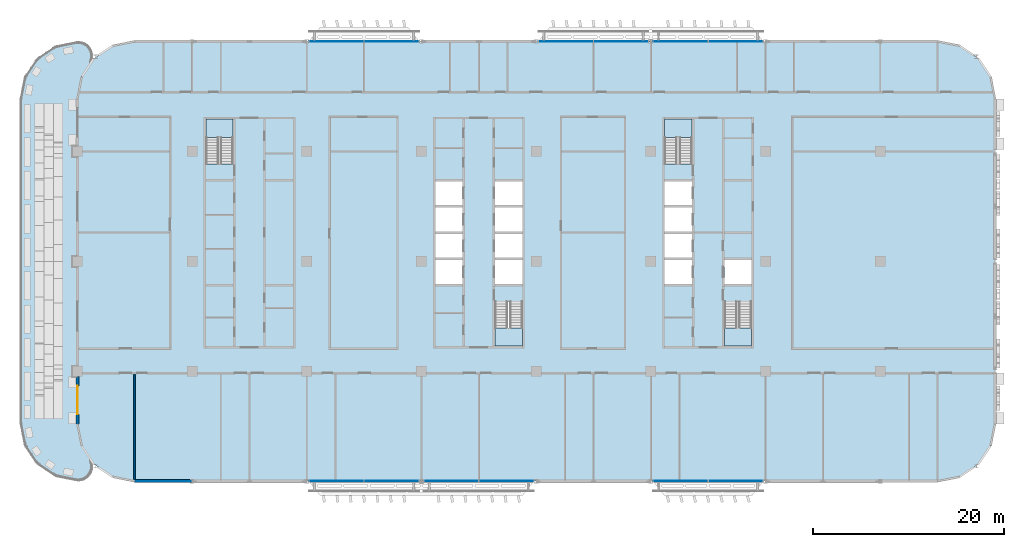
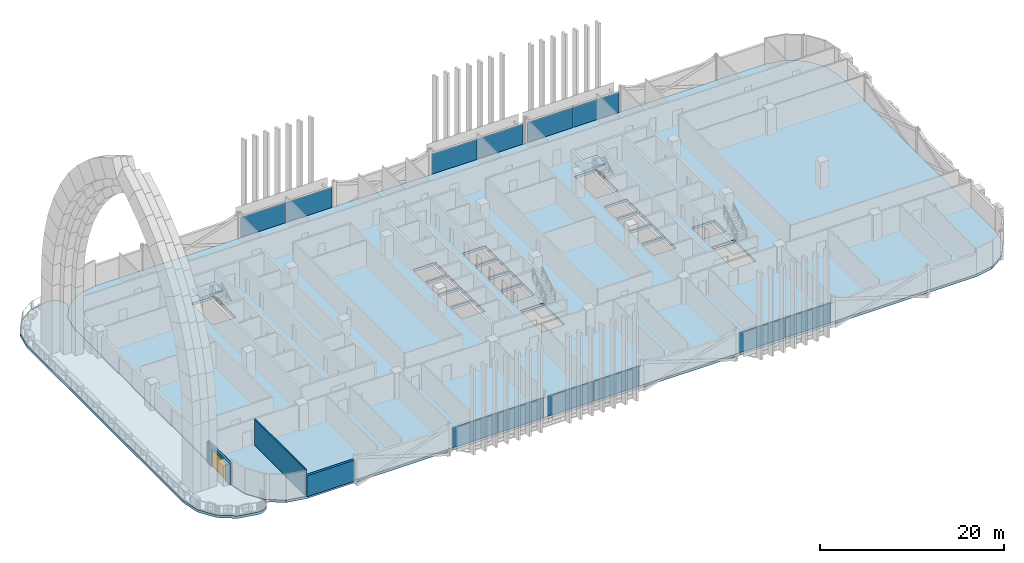
# One storey, part 8 of 28: 12 plates, 6 slabs, 3 walls, 1 door, 1 opening, 10 elements without a shape of their own.
"""IFC4 building model written with IfcOpenShell, lengths in metres."""

from ifc_helpers import new_model, si_unit, direction, frame, frame_2d, origin, origin_2d, place, context, subcontext, project, spatial, polyline, rectangle, outline, extrude, material, layer, layer_set, type_object, element, fill, aggregate, save


model = new_model("IFC4")

# Units and contexts
model_context = context("Model", 3, precision=1e-05, world=origin(), true_north=direction((0.0, 1.0)))
body_context = subcontext(model_context, "Body", "Model", "MODEL_VIEW")
ifc_project = project(units=[si_unit("LENGTHUNIT", "METRE"), si_unit("AREAUNIT", "SQUARE_METRE"), si_unit("VOLUMEUNIT", "CUBIC_METRE"), si_unit("PLANEANGLEUNIT", "RADIAN"), si_unit("MASSUNIT", "GRAM", prefix="KILO")], contexts=[model_context])

# Site, building, storey
site_placement = place(None, origin())
site = spatial("IfcSite", under=ifc_project, at=site_placement, CompositionType="ELEMENT")
building_placement = place(site_placement, origin())
building = spatial("IfcBuilding", under=site, at=building_placement, Name="Mahtab Terrace Research Tower", CompositionType="ELEMENT")
storey_placement = place(building_placement, frame((0.0, 0.0, 193.89990234375)))
storey = spatial("IfcBuildingStorey", under=building, at=storey_placement, Name="L46", CompositionType="ELEMENT", Elevation=193.89990234375)

# Stair, slab
ifc_material_1 = material(Name="Exit stair half-turn")
stair_type = type_object("IfcStairType", Name="Exit stair half-turn", PredefinedType="HALF_TURN_STAIR", material=ifc_material_1)
stair_1_placement = place(storey_placement, origin())
stair_1 = element("IfcStair", 1, at=stair_1_placement, inside=storey, type_object=stair_type, Name="L46 Protected exit stair ST1", PredefinedType="HALF_TURN_STAIR")
ifc_material_2 = material(Name="Concrete C40/50", Category="concrete")
ifc_layer_1 = layer(ifc_material_2, 0.199951171875)
ifc_layer_set_1 = layer_set([ifc_layer_1], Name="Exit stair landing 200")
slab_type_1 = type_object("IfcSlabType", Name="Exit stair landing 200", PredefinedType="LANDING", material=ifc_layer_set_1)
slab_1_placement = place(storey_placement, frame((0.0, 0.0, 1.7001953125)))
slab_1 = element("IfcSlab", 2, at=slab_1_placement, type_object=slab_type_1, Name="ST1 landing 1", PredefinedType="LANDING", context=body_context, shape_type="SweptSolid", body=[
    extrude(outline(polyline([(-25.699951171875, 12.97509765625), (-25.699951171875, 14.875), (-28.550048828125, 14.875), (-28.550048828125, 12.97509765625), (-25.699951171875, 12.97509765625)])), origin(), (0.0, 0.0, 1.0), 0.199951171875),
])
aggregate(stair_1, [slab_1])

stair_2_placement = place(storey_placement, origin())
stair_2 = element("IfcStair", 3, at=stair_2_placement, inside=storey, type_object=stair_type, Name="L46 Protected exit stair ST2", PredefinedType="HALF_TURN_STAIR")
slab_2_placement = place(storey_placement, frame((0.0, 0.0, 1.7001953125)))
slab_2 = element("IfcSlab", 4, at=slab_2_placement, type_object=slab_type_1, Name="ST2 landing 1", PredefinedType="LANDING", context=body_context, shape_type="SweptSolid", body=[
    extrude(outline(polyline([(1.699951171875, -6.97509765625), (1.699951171875, -8.875), (4.550048828125, -8.875), (4.550048828125, -6.97509765625), (1.699951171875, -6.97509765625)])), origin(), (0.0, 0.0, 1.0), 0.199951171875),
])
aggregate(stair_2, [slab_2])

stair_3_placement = place(storey_placement, origin())
stair_3 = element("IfcStair", 5, at=stair_3_placement, inside=storey, type_object=stair_type, Name="L46 Protected exit stair ST3", PredefinedType="HALF_TURN_STAIR")
slab_3_placement = place(storey_placement, frame((0.0, 0.0, 1.7001953125)))
slab_3 = element("IfcSlab", 6, at=slab_3_placement, type_object=slab_type_1, Name="ST3 landing 1", PredefinedType="LANDING", context=body_context, shape_type="SweptSolid", body=[
    extrude(outline(polyline([(22.300048828125, 12.97509765625), (22.300048828125, 14.875), (19.449951171875, 14.875), (19.449951171875, 12.97509765625), (22.300048828125, 12.97509765625)])), origin(), (0.0, 0.0, 1.0), 0.199951171875),
])
aggregate(stair_3, [slab_3])

stair_4_placement = place(storey_placement, origin())
stair_4 = element("IfcStair", 7, at=stair_4_placement, inside=storey, type_object=stair_type, Name="L46 Protected exit stair ST4", PredefinedType="HALF_TURN_STAIR")
slab_4_placement = place(storey_placement, frame((0.0, 0.0, 1.7001953125)))
slab_4 = element("IfcSlab", 8, at=slab_4_placement, type_object=slab_type_1, Name="ST4 landing 1", PredefinedType="LANDING", context=body_context, shape_type="SweptSolid", body=[
    extrude(outline(polyline([(25.699951171875, -6.97509765625), (25.699951171875, -8.875), (28.550048828125, -8.875), (28.550048828125, -6.97509765625), (25.699951171875, -6.97509765625)])), origin(), (0.0, 0.0, 1.0), 0.199951171875),
])
aggregate(stair_4, [slab_4])

# Slabs
ifc_layer_2 = layer(ifc_material_2, 0.340087890625)
ifc_layer_set_2 = layer_set([ifc_layer_2], Name="PT flat slab 340")
slab_type_2 = type_object("IfcSlabType", Name="PT flat slab 340", PredefinedType="FLOOR", material=ifc_layer_set_2)
slab_5_placement = place(storey_placement, frame((0.0, 0.0, -0.33984375)))
element("IfcSlab", 9, at=slab_5_placement, inside=storey, type_object=slab_type_2, Name="Floor slab L46", PredefinedType="FLOOR", context=body_context, shape_type="SweptSolid", body=[
    extrude(outline(polyline([(53.54296875, 19.2958984375), (52.242919921875, 21.242919921875), (50.2958984375, 22.54296875), (48.0, 23.0), (-36.0, 23.0), (-38.2958984375, 22.54296875), (-40.242919921875, 21.242919921875), (-41.54296875, 19.2958984375), (-42.0, 17.0), (-42.0, -17.0), (-41.54296875, -19.2958984375), (-40.242919921875, -21.242919921875), (-38.2958984375, -22.54296875), (-36.0, -23.0), (48.0, -23.0), (50.2958984375, -22.54296875), (52.242919921875, -21.242919921875), (53.54296875, -19.2958984375), (54.0, -17.0), (54.0, 17.0), (53.54296875, 19.2958984375)]), holes=[polyline([(-4.550048828125, -2.375), (-4.550048828125, 0.125), (-1.699951171875, 0.125), (-1.699951171875, -2.375), (-4.550048828125, -2.375)]), polyline([(1.699951171875, -2.375), (1.699951171875, 0.125), (4.550048828125, 0.125), (4.550048828125, -2.375), (1.699951171875, -2.375)]), polyline([(-4.550048828125, 0.375), (-4.550048828125, 2.875), (-1.699951171875, 2.875), (-1.699951171875, 0.375), (-4.550048828125, 0.375)]), polyline([(1.699951171875, 0.375), (1.699951171875, 2.875), (4.550048828125, 2.875), (4.550048828125, 0.375), (1.699951171875, 0.375)]), polyline([(-4.550048828125, 3.125), (-4.550048828125, 5.625), (-1.699951171875, 5.625), (-1.699951171875, 3.125), (-4.550048828125, 3.125)]), polyline([(1.699951171875, 3.125), (1.699951171875, 5.625), (4.550048828125, 5.625), (4.550048828125, 3.125), (1.699951171875, 3.125)]), polyline([(-4.550048828125, 5.875), (-4.550048828125, 8.375), (-1.699951171875, 8.375), (-1.699951171875, 5.875), (-4.550048828125, 5.875)]), polyline([(1.699951171875, 5.875), (1.699951171875, 8.375), (4.550048828125, 8.375), (4.550048828125, 5.875), (1.699951171875, 5.875)]), polyline([(-28.550048828125, 10.177001953125), (-28.550048828125, 14.875), (-25.699951171875, 14.875), (-25.699951171875, 10.177001953125), (-28.550048828125, 10.177001953125)]), polyline([(1.699951171875, -8.875), (1.699951171875, -4.177001953125), (4.550048828125, -4.177001953125), (4.550048828125, -8.875), (1.699951171875, -8.875)]), polyline([(25.699951171875, -8.875), (25.699951171875, -4.177001953125), (28.550048828125, -4.177001953125), (28.550048828125, -8.875), (25.699951171875, -8.875)]), polyline([(19.449951171875, -2.375), (19.449951171875, 0.125), (22.300048828125, 0.125), (22.300048828125, -2.375), (19.449951171875, -2.375)]), polyline([(25.699951171875, -2.375), (25.699951171875, 0.125), (28.550048828125, 0.125), (28.550048828125, -2.375), (25.699951171875, -2.375)]), polyline([(19.449951171875, 0.375), (19.449951171875, 2.875), (22.300048828125, 2.875), (22.300048828125, 0.375), (19.449951171875, 0.375)]), polyline([(19.449951171875, 3.125), (19.449951171875, 5.625), (22.300048828125, 5.625), (22.300048828125, 3.125), (19.449951171875, 3.125)]), polyline([(19.449951171875, 8.375), (22.300048828125, 8.375), (22.300048828125, 5.875), (19.449951171875, 5.875), (19.449951171875, 8.375)]), polyline([(19.449951171875, 14.875), (22.300048828125, 14.875), (22.300048828125, 10.177001953125), (19.449951171875, 10.177001953125), (19.449951171875, 14.875)])]), origin(), (0.0, 0.0, 1.0), 0.33984375),
])
ifc_layer_3 = layer(ifc_material_2, 0.340087890625)
ifc_layer_set_3 = layer_set([ifc_layer_3], Name="PT terrace slab 340")
slab_type_3 = type_object("IfcSlabType", Name="PT terrace slab 340", PredefinedType="FLOOR", material=ifc_layer_set_3)
slab_6_placement = place(storey_placement, frame((0.0, 0.0, -0.33984375)))
element("IfcSlab", 10, at=slab_6_placement, inside=storey, type_object=slab_type_3, Name="Terrace slab L46", PredefinedType="FLOOR", context=body_context, shape_type="SweptSolid", body=[
    extrude(outline(polyline([(-41.550048828125, -19.260009765625), (-41.992919921875, -17.035888671875), (-41.998046875, -17.0), (-42.0, -16.962890625), (-42.0, 16.962890625), (-41.998046875, 17.0), (-41.992919921875, 17.035888671875), (-41.550048828125, 19.260009765625), (-41.5419921875, 19.294921875), (-41.52294921875, 19.326904296875), (-40.631103515625, 20.660888671875), (-40.554931640625, 20.7880859375), (-40.491943359375, 20.9208984375), (-40.443115234375, 21.05908203125), (-40.406982421875, 21.201904296875), (-40.385009765625, 21.347900390625), (-40.3779296875, 21.4951171875), (-40.385009765625, 21.64208984375), (-40.406982421875, 21.787109375), (-40.443115234375, 21.929931640625), (-40.491943359375, 22.069091796875), (-40.554931640625, 22.201904296875), (-40.631103515625, 22.327880859375), (-40.718994140625, 22.446044921875), (-40.81689453125, 22.555908203125), (-40.927001953125, 22.654052734375), (-41.044921875, 22.741943359375), (-41.1708984375, 22.818115234375), (-41.303955078125, 22.881103515625), (-41.443115234375, 22.929931640625), (-41.5859375, 22.966064453125), (-41.73095703125, 22.988037109375), (-41.8779296875, 22.9951171875), (-42.02490234375, 22.988037109375), (-42.1708984375, 22.966064453125), (-44.0029296875, 22.60107421875), (-44.14599609375, 22.56591796875), (-44.284912109375, 22.51611328125), (-44.41796875, 22.452880859375), (-44.5439453125, 22.3779296875), (-45.9951171875, 21.407958984375), (-46.113037109375, 21.321044921875), (-46.221923828125, 21.221923828125), (-46.321044921875, 21.113037109375), (-46.407958984375, 20.9951171875), (-47.3779296875, 19.5439453125), (-47.452880859375, 19.41796875), (-47.51611328125, 19.284912109375), (-47.56591796875, 19.14599609375), (-47.60107421875, 19.0029296875), (-47.970947265625, 17.14501953125), (-47.992919921875, 16.9990234375), (-48.0, 16.85205078125), (-48.0, -16.85205078125), (-47.992919921875, -16.9990234375), (-47.970947265625, -17.14501953125), (-47.60107421875, -19.0029296875), (-47.56591796875, -19.14599609375), (-47.51611328125, -19.284912109375), (-47.452880859375, -19.41796875), (-47.3779296875, -19.5439453125), (-46.407958984375, -20.9951171875), (-46.321044921875, -21.113037109375), (-46.221923828125, -21.221923828125), (-46.113037109375, -21.321044921875), (-45.9951171875, -21.407958984375), (-44.5439453125, -22.3779296875), (-44.41796875, -22.452880859375), (-44.284912109375, -22.51611328125), (-44.14599609375, -22.56591796875), (-44.0029296875, -22.60107421875), (-42.1708984375, -22.966064453125), (-42.02490234375, -22.988037109375), (-41.8779296875, -22.9951171875), (-41.73095703125, -22.988037109375), (-41.5859375, -22.966064453125), (-41.443115234375, -22.929931640625), (-41.303955078125, -22.881103515625), (-41.1708984375, -22.818115234375), (-41.044921875, -22.741943359375), (-40.927001953125, -22.654052734375), (-40.81689453125, -22.555908203125), (-40.718994140625, -22.446044921875), (-40.631103515625, -22.327880859375), (-40.554931640625, -22.201904296875), (-40.491943359375, -22.069091796875), (-40.443115234375, -21.929931640625), (-40.406982421875, -21.787109375), (-40.385009765625, -21.64208984375), (-40.3779296875, -21.4951171875), (-40.385009765625, -21.347900390625), (-40.406982421875, -21.201904296875), (-40.443115234375, -21.05908203125), (-40.491943359375, -20.9208984375), (-40.554931640625, -20.7880859375), (-40.631103515625, -20.660888671875), (-41.52294921875, -19.326904296875), (-41.5419921875, -19.294921875), (-41.550048828125, -19.260009765625)])), origin(), (0.0, 0.0, 1.0), 0.33984375),
])

# Curtain wall, plates
ifc_material_3 = material(Name="Sky lounge full-height curtain wall")
curtain_wall_type = type_object("IfcCurtainWallType", Name="Sky lounge full-height curtain wall", PredefinedType="NOTDEFINED", material=ifc_material_3)
curtain_wall_1_placement = place(storey_placement, origin())
curtain_wall_1 = element("IfcCurtainWall", 11, at=curtain_wall_1_placement, inside=storey, type_object=curtain_wall_type, Name="EN.L46.3.5", PredefinedType="NOTDEFINED")
ifc_material_4 = material(Name="Dark glazing", Category="glass")
ifc_layer_4 = layer(ifc_material_4, 0.0400390625)
ifc_layer_set_4 = layer_set([ifc_layer_4], Name="Sky lounge full-height curtain wall glazing panel")
plate_type = type_object("IfcPlateType", Name="Sky lounge full-height curtain wall glazing panel", PredefinedType="CURTAIN_PANEL", material=ifc_layer_set_4)
plate_1_placement = place(storey_placement, frame((26.882568359375, 23.0, 0.0), z_axis=(0.0, 0.0, 1.0), x_axis=(-1.0, 0.0, 0.0)))
plate_1 = element("IfcPlate", 12, at=plate_1_placement, type_object=plate_type, Name="CWS-6 panel 1", PredefinedType="CURTAIN_PANEL", context=body_context, shape_type="SweptSolid", body=[
    extrude(rectangle(XDim=5.695068359375, YDim=0.0400390625, at=origin_2d()), origin(), (0.0, 0.0, 1.0), 2.661865234375),
])
plate_2_placement = place(storey_placement, frame((21.117431640625, 23.0, 0.0), z_axis=(0.0, 0.0, 1.0), x_axis=(-1.0, 0.0, 0.0)))
plate_2 = element("IfcPlate", 13, at=plate_2_placement, type_object=plate_type, Name="CWS-6 panel 2", PredefinedType="CURTAIN_PANEL", context=body_context, shape_type="SweptSolid", body=[
    extrude(rectangle(XDim=5.695068359375, YDim=0.0400390625, at=origin_2d()), origin(), (0.0, 0.0, 1.0), 2.661865234375),
])
aggregate(curtain_wall_1, [plate_1, plate_2])

curtain_wall_2_placement = place(storey_placement, origin())
curtain_wall_2 = element("IfcCurtainWall", 14, at=curtain_wall_2_placement, inside=storey, type_object=curtain_wall_type, Name="EN.L46.3.6", PredefinedType="NOTDEFINED")
plate_3_placement = place(storey_placement, frame((14.882568359375, 23.0, 0.0), z_axis=(0.0, 0.0, 1.0), x_axis=(-1.0, 0.0, 0.0)))
plate_3 = element("IfcPlate", 15, at=plate_3_placement, type_object=plate_type, Name="CWS-6 panel 1", PredefinedType="CURTAIN_PANEL", context=body_context, shape_type="SweptSolid", body=[
    extrude(rectangle(XDim=5.695068359375, YDim=0.0400390625, at=origin_2d()), origin(), (0.0, 0.0, 1.0), 2.661865234375),
])
plate_4_placement = place(storey_placement, frame((9.117431640625, 23.0, 0.0), z_axis=(0.0, 0.0, 1.0), x_axis=(-1.0, 0.0, 0.0)))
plate_4 = element("IfcPlate", 16, at=plate_4_placement, type_object=plate_type, Name="CWS-6 panel 2", PredefinedType="CURTAIN_PANEL", context=body_context, shape_type="SweptSolid", body=[
    extrude(rectangle(XDim=5.695068359375, YDim=0.0400390625, at=origin_2d()), origin(), (0.0, 0.0, 1.0), 2.661865234375),
])
aggregate(curtain_wall_2, [plate_3, plate_4])

curtain_wall_3_placement = place(storey_placement, origin())
curtain_wall_3 = element("IfcCurtainWall", 17, at=curtain_wall_3_placement, inside=storey, type_object=curtain_wall_type, Name="EN.L46.3.8", PredefinedType="NOTDEFINED")
plate_5_placement = place(storey_placement, frame((-9.117431640625, 23.0, 0.0), z_axis=(0.0, 0.0, 1.0), x_axis=(-1.0, 0.0, 0.0)))
plate_5 = element("IfcPlate", 18, at=plate_5_placement, type_object=plate_type, Name="CWS-6 panel 1", PredefinedType="CURTAIN_PANEL", context=body_context, shape_type="SweptSolid", body=[
    extrude(rectangle(XDim=5.695068359375, YDim=0.0400390625, at=origin_2d()), origin(), (0.0, 0.0, 1.0), 2.661865234375),
])
plate_6_placement = place(storey_placement, frame((-14.882568359375, 23.0, 0.0), z_axis=(0.0, 0.0, 1.0), x_axis=(-1.0, 0.0, 0.0)))
plate_6 = element("IfcPlate", 19, at=plate_6_placement, type_object=plate_type, Name="CWS-6 panel 2", PredefinedType="CURTAIN_PANEL", context=body_context, shape_type="SweptSolid", body=[
    extrude(rectangle(XDim=5.695068359375, YDim=0.0400390625, at=origin_2d()), origin(), (0.0, 0.0, 1.0), 2.661865234375),
])
aggregate(curtain_wall_3, [plate_5, plate_6])

curtain_wall_4_placement = place(storey_placement, origin())
curtain_wall_4 = element("IfcCurtainWall", 20, at=curtain_wall_4_placement, inside=storey, type_object=curtain_wall_type, Name="EN.L46.13.25", PredefinedType="NOTDEFINED")
plate_7_placement = place(storey_placement, frame((-14.882568359375, -23.0, 0.0), z_axis=(0.0, 0.0, 1.0), x_axis=(1.0, 0.0, 0.0)))
plate_7 = element("IfcPlate", 21, at=plate_7_placement, type_object=plate_type, Name="CWS-6 panel 1", PredefinedType="CURTAIN_PANEL", context=body_context, shape_type="SweptSolid", body=[
    extrude(rectangle(XDim=5.695068359375, YDim=0.0400390625, at=origin_2d()), origin(), (0.0, 0.0, 1.0), 2.661865234375),
])
plate_8_placement = place(storey_placement, frame((-9.117431640625, -23.0, 0.0), z_axis=(0.0, 0.0, 1.0), x_axis=(1.0, 0.0, 0.0)))
plate_8 = element("IfcPlate", 22, at=plate_8_placement, type_object=plate_type, Name="CWS-6 panel 2", PredefinedType="CURTAIN_PANEL", context=body_context, shape_type="SweptSolid", body=[
    extrude(rectangle(XDim=5.695068359375, YDim=0.0400390625, at=origin_2d()), origin(), (0.0, 0.0, 1.0), 2.661865234375),
])
aggregate(curtain_wall_4, [plate_7, plate_8])

curtain_wall_5_placement = place(storey_placement, origin())
curtain_wall_5 = element("IfcCurtainWall", 23, at=curtain_wall_5_placement, inside=storey, type_object=curtain_wall_type, Name="EN.L46.13.26", PredefinedType="NOTDEFINED")
plate_9_placement = place(storey_placement, frame((-2.882568359375, -23.0, 0.0), z_axis=(0.0, 0.0, 1.0), x_axis=(1.0, 0.0, 0.0)))
plate_9 = element("IfcPlate", 24, at=plate_9_placement, type_object=plate_type, Name="CWS-6 panel 1", PredefinedType="CURTAIN_PANEL", context=body_context, shape_type="SweptSolid", body=[
    extrude(rectangle(XDim=5.695068359375, YDim=0.0400390625, at=origin_2d()), origin(), (0.0, 0.0, 1.0), 2.661865234375),
])
plate_10_placement = place(storey_placement, frame((2.882568359375, -23.0, 0.0), z_axis=(0.0, 0.0, 1.0), x_axis=(1.0, 0.0, 0.0)))
plate_10 = element("IfcPlate", 25, at=plate_10_placement, type_object=plate_type, Name="CWS-6 panel 2", PredefinedType="CURTAIN_PANEL", context=body_context, shape_type="SweptSolid", body=[
    extrude(rectangle(XDim=5.695068359375, YDim=0.0400390625, at=origin_2d()), origin(), (0.0, 0.0, 1.0), 2.661865234375),
])
aggregate(curtain_wall_5, [plate_9, plate_10])

curtain_wall_6_placement = place(storey_placement, origin())
curtain_wall_6 = element("IfcCurtainWall", 26, at=curtain_wall_6_placement, inside=storey, type_object=curtain_wall_type, Name="EN.L46.13.28", PredefinedType="NOTDEFINED")
plate_11_placement = place(storey_placement, frame((21.117431640625, -23.0, 0.0), z_axis=(0.0, 0.0, 1.0), x_axis=(1.0, 0.0, 0.0)))
plate_11 = element("IfcPlate", 27, at=plate_11_placement, type_object=plate_type, Name="CWS-6 panel 1", PredefinedType="CURTAIN_PANEL", context=body_context, shape_type="SweptSolid", body=[
    extrude(rectangle(XDim=5.695068359375, YDim=0.0400390625, at=origin_2d()), origin(), (0.0, 0.0, 1.0), 2.661865234375),
])
plate_12_placement = place(storey_placement, frame((26.882568359375, -23.0, 0.0), z_axis=(0.0, 0.0, 1.0), x_axis=(1.0, 0.0, 0.0)))
plate_12 = element("IfcPlate", 28, at=plate_12_placement, type_object=plate_type, Name="CWS-6 panel 2", PredefinedType="CURTAIN_PANEL", context=body_context, shape_type="SweptSolid", body=[
    extrude(rectangle(XDim=5.695068359375, YDim=0.0400390625, at=origin_2d()), origin(), (0.0, 0.0, 1.0), 2.661865234375),
])
aggregate(curtain_wall_6, [plate_11, plate_12])

# Wall, opening, door
ifc_material_5 = material(Name="Black aluminium cladding panel", Category="aluminium")
ifc_layer_5 = layer(ifc_material_5, 0.300048828125)
ifc_layer_set_5 = layer_set([ifc_layer_5], Name="Opaque facade wall 300")
wall_type_1 = type_object("IfcWallType", Name="Opaque facade wall 300", PredefinedType="NOTDEFINED", material=ifc_layer_set_5)
wall_1_placement = place(storey_placement, frame((-42.0, -12.050048828125, 0.0), z_axis=(0.0, 0.0, 1.0), x_axis=(0.0, -1.0, 0.0)))
wall_1 = element("IfcWall", 29, at=wall_1_placement, inside=storey, type_object=wall_type_1, Name="Opaque facade wall L46 W18", PredefinedType="NOTDEFINED", context=body_context, shape_type="SweptSolid", body=[
    extrude(rectangle(XDim=4.949951171875, YDim=0.300048828125, at=frame_2d((2.47509765625, 0.0))), origin(), (0.0, 0.0, 1.0), 2.781982421875),
])
opening_placement = place(wall_1_placement, frame((0.97509765625, 0.0, 0.0)))
opening = element("IfcOpeningElement", 30, at=opening_placement, cuts=wall_1, Name="Opening ED1", PredefinedType="OPENING", context=body_context, shape_type="SweptSolid", body=[
    extrude(rectangle(XDim=3.0, YDim=2.39990234375, at=frame_2d((1.5, 1.199951171875))), frame((0.0, 0.159912109375, 0.0), z_axis=(0.0, -1.0, 0.0), x_axis=(1.0, 0.0, 0.0)), (0.0, 0.0, 1.0), 0.320068359375),
])
ifc_material_6 = material(Name="Black anodised aluminium", Category="aluminium")
door_type = type_object("IfcDoorType", Name="Terrace double door 3000x2400", OperationType="DOUBLE_DOOR_DOUBLE_SWING", PredefinedType="DOOR", material=ifc_material_6)
door_placement = place(opening_placement, origin())
door = element("IfcDoor", 31, at=door_placement, inside=storey, type_object=door_type, Name="Terrace door L46 W", OperationType="SINGLE_SWING_LEFT", OverallHeight=2.39990234375, OverallWidth=3.0, PredefinedType="DOOR", context=body_context, shape_type="SweptSolid", body=[
    extrude(rectangle(XDim=3.0, YDim=2.39990234375, at=frame_2d((1.5, 1.199951171875))), frame((0.0, 0.02490234375, 0.0), z_axis=(0.0, -1.0, 0.0), x_axis=(1.0, 0.0, 0.0)), (0.0, 0.0, 1.0), 0.050048828125),
])
fill(opening, door)

# Walls
wall_2_placement = place(storey_placement, frame((-36.0, -23.0, 0.0), z_axis=(0.0, 0.0, 1.0), x_axis=(1.0, 0.0, 0.0)))
element("IfcWall", 32, at=wall_2_placement, inside=storey, type_object=wall_type_1, Name="Opaque facade wall L46 S23", PredefinedType="NOTDEFINED", context=body_context, shape_type="SweptSolid", body=[
    extrude(rectangle(XDim=5.987548828125, YDim=0.300048828125, at=frame_2d((2.99365234375, 0.0))), origin(), (0.0, 0.0, 1.0), 2.781982421875),
])
ifc_material_7 = material(Name="Gypsum board partition on steel studs", Category="steel")
ifc_layer_6 = layer(ifc_material_7, 0.14990234375)
ifc_layer_set_6 = layer_set([ifc_layer_6], Name="WALL PARTITION 150")
wall_type_2 = type_object("IfcWallType", Name="WALL PARTITION 150", PredefinedType="PARTITIONING", material=ifc_layer_set_6)
wall_3_placement = place(storey_placement, frame((-36.0, -22.84716796875, 0.0), z_axis=(0.0, 0.0, 1.0), x_axis=(0.0, 1.0, 0.0)))
element("IfcWall", 33, at=wall_3_placement, inside=storey, type_object=wall_type_2, Name="L46-W025", PredefinedType="PARTITIONING", context=body_context, shape_type="SweptSolid", body=[
    extrude(rectangle(XDim=11.047119140625, YDim=0.14990234375, at=frame_2d((5.5234375, 0.0))), origin(), (0.0, 0.0, 1.0), 3.460205078125),
])

save(model, "model.ifc")
